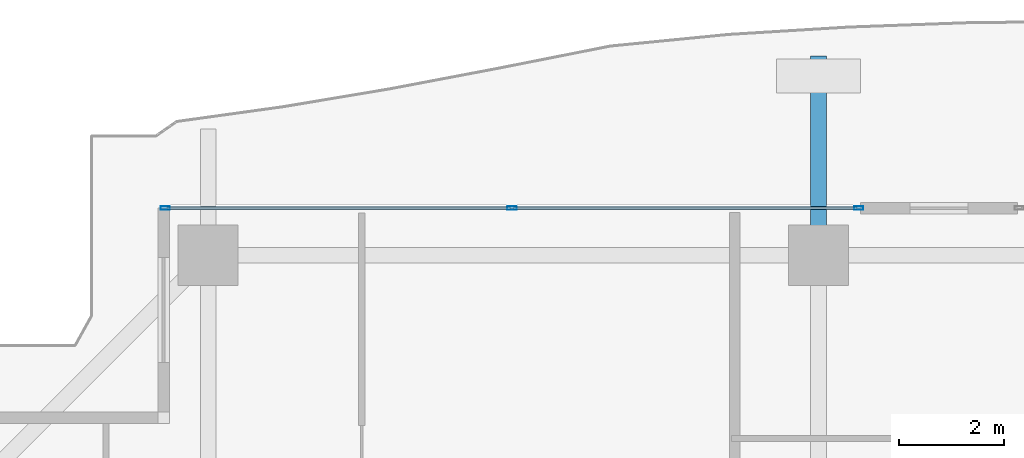
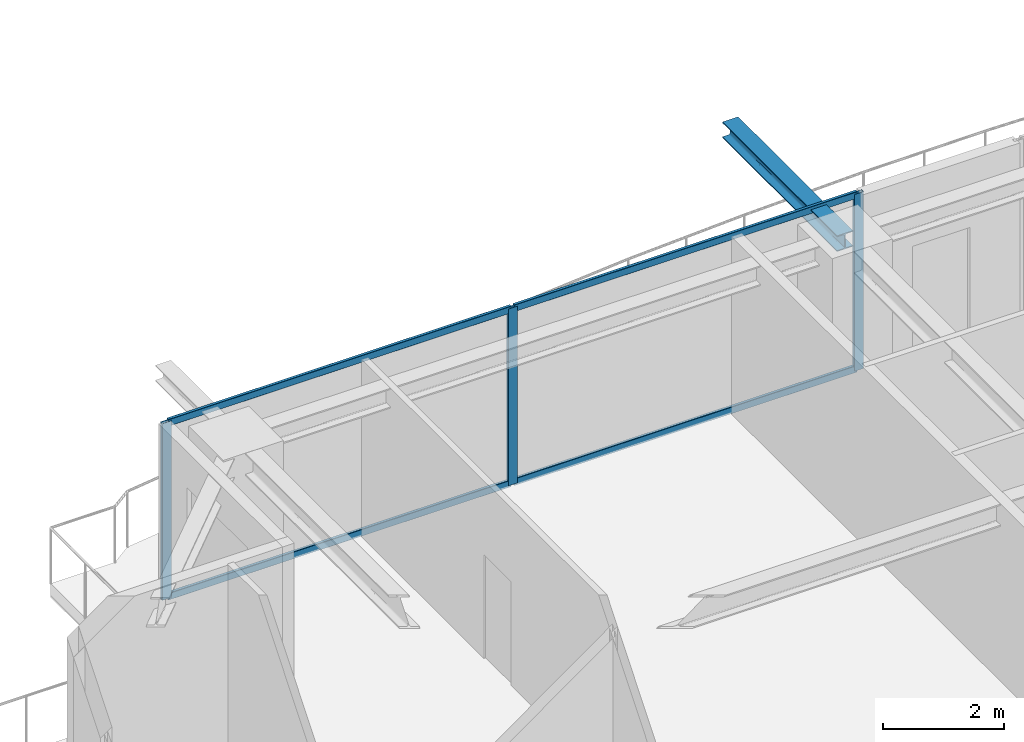
# One storey, part 20 of 37: 7 members, 1 beam, 1 element without a shape of its own.
"""IFC4 building model written with IfcOpenShell, lengths in metres."""

from ifc_helpers import new_model, si_unit, direction, frame, origin, origin_2d, place, context, subcontext, project, spatial, hollow_rectangle, i_section, extrude, source, transform, mapped, material, layer, layer_set, material_profile, profile_set, type_object, element, aggregate, save


model = new_model("IFC4")

# Units and contexts
model_context = context("Model", 3, precision=1e-05, world=origin(), true_north=direction((0.0, 1.0)))
body_context = subcontext(model_context, "Body", "Model", "MODEL_VIEW")
ifc_project = project(units=[si_unit("LENGTHUNIT", "METRE"), si_unit("AREAUNIT", "SQUARE_METRE"), si_unit("VOLUMEUNIT", "CUBIC_METRE"), si_unit("PLANEANGLEUNIT", "RADIAN"), si_unit("MASSUNIT", "GRAM", prefix="KILO")], contexts=[model_context])

# Site, building, storey
site_placement = place(None, origin())
site = spatial("IfcSite", under=ifc_project, at=site_placement, CompositionType="ELEMENT")
building_placement = place(site_placement, origin())
building = spatial("IfcBuilding", under=site, at=building_placement, Name="Serunith Strait Residences", CompositionType="ELEMENT")
storey_placement = place(building_placement, frame((0.0, 0.0, 248.949951171875)))
storey = spatial("IfcBuildingStorey", under=building, at=storey_placement, Name="L62", CompositionType="ELEMENT", Elevation=248.949951171875)

# Beam
ifc_material_1 = material(Name="Steel S355J2", Category="steel")
ifc_material_profile_1 = material_profile(ifc_material_1, i_section(OverallWidth=0.300048828125, OverallDepth=0.320068359375, WebThickness=0.011474609375, FlangeThickness=0.0205078125, FilletRadius=0.027099609375, at=origin_2d()), Name="HEB 320")
ifc_profile_set_1 = profile_set([ifc_material_profile_1], Name="Steel S355J2")
beam_type = type_object("IfcBeamType", Name="BM-HEB320", PredefinedType="BEAM", material=ifc_profile_set_1)
shared_shape_1 = source(origin(), body_context, "Body", "SweptSolid", [
    extrude(i_section(OverallWidth=0.300048828125, OverallDepth=0.320068359375, WebThickness=0.011474609375, FlangeThickness=0.0205078125, FilletRadius=0.027099609375, at=origin_2d()), origin(), (0.0, 0.0, 1.0), 3.800048828125),
])
beam_placement = place(storey_placement, frame((27.89990234375, 48.300048828125, 3.39697265625), z_axis=(0.0, 1.0, 0.0), x_axis=(-1.0, 0.0, 0.0)))
element("IfcBeam", 1, at=beam_placement, inside=storey, type_object=beam_type, Name="L63 Cantilevered Balcony Rib TC-N2", PredefinedType="BEAM", context=body_context, shape_type="MappedRepresentation", body=[
    mapped(shared_shape_1, transform((0.0, 0.0, 0.0), scale=1.0)),
])

# Curtain wall, members
ifc_material_2 = material(Name="Pale-Champagne Anodised Aluminium", Category="aluminium")
ifc_layer = layer(ifc_material_2, 0.199951171875, Name="Pale-Champagne Anodised Aluminium")
ifc_layer_set = layer_set([ifc_layer], Name="Pale-Champagne Anodised Aluminium")
curtain_wall_type = type_object("IfcCurtainWallType", Name="CW-SYS4", PredefinedType="NOTDEFINED", material=ifc_layer_set)
curtain_wall_placement = place(storey_placement, origin())
curtain_wall = element("IfcCurtainWall", 2, at=curtain_wall_placement, inside=storey, type_object=curtain_wall_type, Name="L62 N Unitised Fritted Curtain Wall", PredefinedType="NOTDEFINED")
ifc_material_profile_2 = material_profile(ifc_material_2, hollow_rectangle(XDim=0.06494140625, YDim=0.179931640625, WallThickness=0.00341796875, InnerFilletRadius=0.00537109375, OuterFilletRadius=0.0087890625, at=origin_2d()), Name="ALU 180x65x3.5")
ifc_profile_set_2 = profile_set([ifc_material_profile_2], Name="Pale-Champagne Anodised Aluminium")
member_type_1 = type_object("IfcMemberType", Name="CW-SYS4-MULL", PredefinedType="MULLION", material=ifc_profile_set_2)
shared_shape_2 = source(origin(), body_context, "Body", "SweptSolid", [
    extrude(hollow_rectangle(XDim=0.06494140625, YDim=0.179931640625, WallThickness=0.00341796875, InnerFilletRadius=0.00537109375, OuterFilletRadius=0.0087890625, at=origin_2d()), origin(), (0.0, 0.0, 1.0), 3.574951171875),
])
member_1_placement = place(storey_placement, frame((28.66748046875, 49.199951171875, 0.0), z_axis=(0.0, 0.0, 1.0), x_axis=(0.0, -1.0, 0.0)))
member_1 = element("IfcMember", 3, at=member_1_placement, type_object=member_type_1, Name="CW-4 mullion 1", PredefinedType="MULLION", context=body_context, shape_type="MappedRepresentation", body=[
    mapped(shared_shape_2, transform((0.0, 0.0, 0.0), scale=1.0)),
])
member_2_placement = place(storey_placement, frame((22.050048828125, 49.199951171875, 0.0), z_axis=(0.0, 0.0, 1.0), x_axis=(0.0, -1.0, 0.0)))
member_2 = element("IfcMember", 4, at=member_2_placement, type_object=member_type_1, Name="CW-4 mullion 2", PredefinedType="MULLION", context=body_context, shape_type="MappedRepresentation", body=[
    mapped(shared_shape_2, transform((0.0, 0.0, 0.0), scale=1.0)),
])
member_3_placement = place(storey_placement, frame((15.4326171875, 49.199951171875, 0.0), z_axis=(0.0, 0.0, 1.0), x_axis=(0.0, -1.0, 0.0)))
member_3 = element("IfcMember", 5, at=member_3_placement, type_object=member_type_1, Name="CW-4 mullion 3", PredefinedType="MULLION", context=body_context, shape_type="MappedRepresentation", body=[
    mapped(shared_shape_2, transform((0.0, 0.0, 0.0), scale=1.0)),
])
ifc_material_profile_3 = material_profile(ifc_material_2, hollow_rectangle(XDim=0.06005859375, YDim=0.139892578125, WallThickness=0.00341796875, InnerFilletRadius=0.00537109375, OuterFilletRadius=0.0087890625, at=origin_2d()), Name="ALU 140x60x3.5")
ifc_profile_set_3 = profile_set([ifc_material_profile_3], Name="Pale-Champagne Anodised Aluminium")
member_type_2 = type_object("IfcMemberType", Name="CW-SYS4-TRAN", PredefinedType="USERDEFINED", material=ifc_profile_set_3)
shared_shape_3 = source(origin(), body_context, "Body", "SweptSolid", [
    extrude(hollow_rectangle(XDim=0.06005859375, YDim=0.139892578125, WallThickness=0.00341796875, InnerFilletRadius=0.00537109375, OuterFilletRadius=0.0087890625, at=origin_2d()), origin(), (0.0, 0.0, 1.0), 6.552490234375),
])
member_4_placement = place(storey_placement, frame((28.635009765625, 49.199951171875, 0.030029296875), z_axis=(-1.0, 0.0, 0.0), x_axis=(0.0, -1.0, 0.0)))
member_4 = element("IfcMember", 6, at=member_4_placement, type_object=member_type_2, Name="CW-4 transom 1.1", ObjectType="TRANSOM", PredefinedType="USERDEFINED", context=body_context, shape_type="MappedRepresentation", body=[
    mapped(shared_shape_3, transform((0.0, 0.0, 0.0), scale=1.0)),
])
member_5_placement = place(storey_placement, frame((28.635009765625, 49.199951171875, 3.545166015625), z_axis=(-1.0, 0.0, 0.0), x_axis=(0.0, -1.0, 0.0)))
member_5 = element("IfcMember", 7, at=member_5_placement, type_object=member_type_2, Name="CW-4 transom 1.2", ObjectType="TRANSOM", PredefinedType="USERDEFINED", context=body_context, shape_type="MappedRepresentation", body=[
    mapped(shared_shape_3, transform((0.0, 0.0, 0.0), scale=1.0)),
])
member_6_placement = place(storey_placement, frame((22.017578125, 49.199951171875, 0.030029296875), z_axis=(-1.0, 0.0, 0.0), x_axis=(0.0, -1.0, 0.0)))
member_6 = element("IfcMember", 8, at=member_6_placement, type_object=member_type_2, Name="CW-4 transom 2.1", ObjectType="TRANSOM", PredefinedType="USERDEFINED", context=body_context, shape_type="MappedRepresentation", body=[
    mapped(shared_shape_3, transform((0.0, 0.0, 0.0), scale=1.0)),
])
member_7_placement = place(storey_placement, frame((22.017578125, 49.199951171875, 3.545166015625), z_axis=(-1.0, 0.0, 0.0), x_axis=(0.0, -1.0, 0.0)))
member_7 = element("IfcMember", 9, at=member_7_placement, type_object=member_type_2, Name="CW-4 transom 2.2", ObjectType="TRANSOM", PredefinedType="USERDEFINED", context=body_context, shape_type="MappedRepresentation", body=[
    mapped(shared_shape_3, transform((0.0, 0.0, 0.0), scale=1.0)),
])
aggregate(curtain_wall, [member_1, member_2, member_3, member_4, member_5, member_6, member_7])

save(model, "model.ifc")
